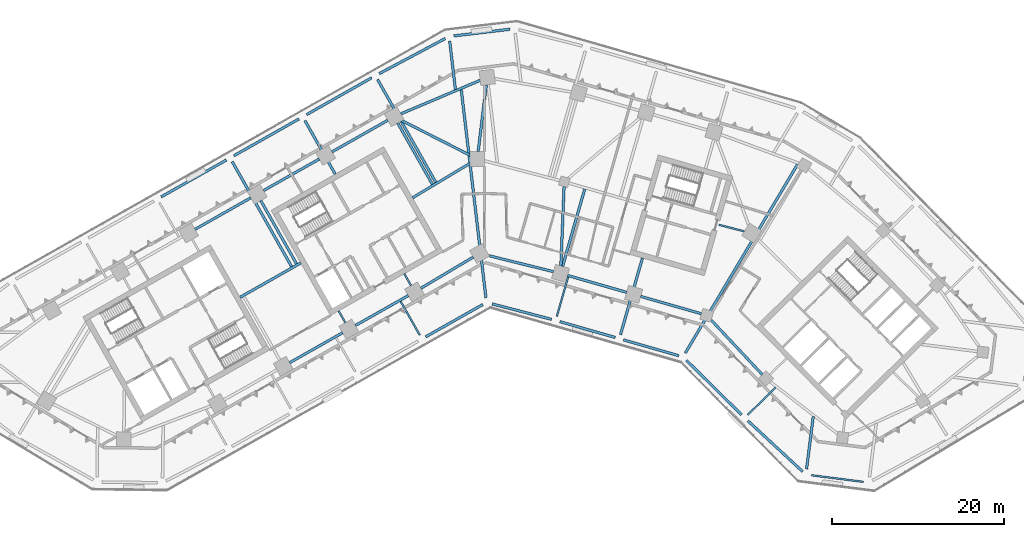
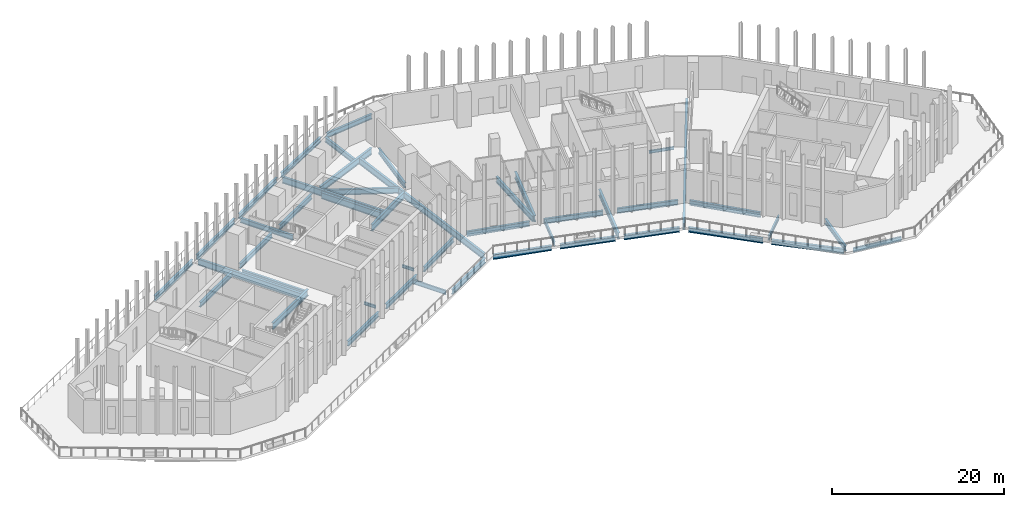
# One storey, part 2 of 17: 45 beams.
"""IFC4 building model written with IfcOpenShell, lengths in metres."""

from ifc_helpers import new_model, si_unit, direction, frame, origin, origin_2d, place, context, subcontext, project, spatial, i_section, extrude, material, material_profile, profile_set, type_object, element, save


model = new_model("IFC4")

# Units and contexts
model_context = context("Model", 3, precision=1e-05, world=origin(), true_north=direction((0.0, 1.0)))
body_context = subcontext(model_context, "Body", "Model", "MODEL_VIEW")
ifc_project = project(units=[si_unit("LENGTHUNIT", "METRE"), si_unit("AREAUNIT", "SQUARE_METRE"), si_unit("VOLUMEUNIT", "CUBIC_METRE"), si_unit("PLANEANGLEUNIT", "RADIAN"), si_unit("MASSUNIT", "GRAM", prefix="KILO")], contexts=[model_context])

# Site, building, storey
site_placement = place(None, origin())
site = spatial("IfcSite", under=ifc_project, at=site_placement, CompositionType="ELEMENT")
building_placement = place(site_placement, origin())
building = spatial("IfcBuilding", under=site, at=building_placement, Name="Binnacle Exchange Tower", CompositionType="ELEMENT")
storey_placement = place(building_placement, frame((0.0, 0.0, 26.5)))
storey = spatial("IfcBuildingStorey", under=building, at=storey_placement, Name="L05", CompositionType="ELEMENT", Elevation=26.5)

# Beams
ifc_material = material(Name="Steel S355 (SHN355)", Category="steel")
ifc_material_profile_1 = material_profile(ifc_material, i_section(OverallWidth=0.201904296875, OverallDepth=0.612060546875, WebThickness=0.012939453125, FlangeThickness=0.02294921875, FilletRadius=0.02197265625, at=origin_2d()), Name="H 612x202x13x23")
ifc_profile_set_1 = profile_set([ifc_material_profile_1], Name="Steel S355 (SHN355)")
beam_type_1 = type_object("IfcBeamType", Name="Edge girder H 612x202x13x23 Steel S355 (SHN355)", PredefinedType="SPANDREL", material=ifc_profile_set_1)
beam_1_placement = place(storey_placement, frame((43.931884765625, 22.540283203125, -0.6259765625), z_axis=(-0.992003760978, 0.126208312743, 0.0), x_axis=(-0.126208312743, -0.992003760978, 0.0)))
element("IfcBeam", 1, at=beam_1_placement, inside=storey, type_object=beam_type_1, Name="S:BM:edge:L05:066", PredefinedType="SPANDREL", context=body_context, shape_type="SweptSolid", body=[
    extrude(i_section(OverallWidth=0.201904296875, OverallDepth=0.612060546875, WebThickness=0.012939453125, FlangeThickness=0.02294921875, FilletRadius=0.02197265625, at=origin_2d()), origin(), (0.0, 0.0, 1.0), 6.081787109375),
])
ifc_material_profile_2 = material_profile(ifc_material, i_section(OverallWidth=0.300048828125, OverallDepth=0.699951171875, WebThickness=0.012939453125, FlangeThickness=0.02392578125, FilletRadius=0.028076171875, at=origin_2d()), Name="H 700x300x13x24")
ifc_profile_set_2 = profile_set([ifc_material_profile_2], Name="Steel S355 (SHN355)")
beam_type_2 = type_object("IfcBeamType", Name="Edge girder H 700x300x13x24 Steel S355 (SHN355)", PredefinedType="SPANDREL", material=ifc_profile_set_2)
for number, where, z_axis, x_axis, name in (
    (2, (-37.517333984375, 55.59912109375, -0.669921875), (0.870339162406, 0.492452781881, 0.0), (-0.492452781881, 0.870339162406, 0.0), "S:BM:edge:L05:026"),
    (3, (-29.089111328125, 60.367919921875, -0.669921875), (0.870358029477, 0.492419435567, 0.0), (-0.492419435567, 0.870358029477, 0.0), "S:BM:edge:L05:030"),
):
    element("IfcBeam", number, at=place(storey_placement, frame(where, z_axis=z_axis, x_axis=x_axis)), inside=storey, type_object=beam_type_2, Name=name, PredefinedType="SPANDREL", context=body_context, shape_type="SweptSolid", body=[
        extrude(i_section(OverallWidth=0.300048828125, OverallDepth=0.699951171875, WebThickness=0.012939453125, FlangeThickness=0.02392578125, FilletRadius=0.028076171875, at=origin_2d()), origin(), (0.0, 0.0, 1.0), 8.683837890625),
    ])
beam_2_placement = place(storey_placement, frame((-27.12744140625, 55.49169921875, -0.669921875), z_axis=(-0.870350394687, -0.492432929919, 0.0), x_axis=(0.492432929919, -0.870350394687, 0.0)))
element("IfcBeam", 4, at=beam_2_placement, inside=storey, type_object=beam_type_2, Name="S:BM:edge:L05:031", PredefinedType="SPANDREL", context=body_context, shape_type="SweptSolid", body=[
    extrude(i_section(OverallWidth=0.300048828125, OverallDepth=0.699951171875, WebThickness=0.012939453125, FlangeThickness=0.02392578125, FilletRadius=0.028076171875, at=origin_2d()), origin(), (0.0, 0.0, 1.0), 7.429931640625),
])
beam_3_placement = place(storey_placement, frame((-22.6162109375, 36.36474609375, -0.669921875), z_axis=(0.870350053651, 0.492433532681, 0.0), x_axis=(-0.492433532681, 0.870350053651, 0.0)))
element("IfcBeam", 5, at=beam_3_placement, inside=storey, type_object=beam_type_2, Name="S:BM:edge:L05:033", PredefinedType="SPANDREL", context=body_context, shape_type="SweptSolid", body=[
    extrude(i_section(OverallWidth=0.300048828125, OverallDepth=0.699951171875, WebThickness=0.012939453125, FlangeThickness=0.02392578125, FilletRadius=0.028076171875, at=origin_2d()), origin(), (0.0, 0.0, 1.0), 7.054443359375),
])
beam_4_placement = place(storey_placement, frame((-20.66064453125, 65.136474609375, -0.669921875), z_axis=(0.870358029477, 0.492419435567, 0.0), x_axis=(-0.492419435567, 0.870358029477, 0.0)))
element("IfcBeam", 6, at=beam_4_placement, inside=storey, type_object=beam_type_2, Name="S:BM:edge:L05:034", PredefinedType="SPANDREL", context=body_context, shape_type="SweptSolid", body=[
    extrude(i_section(OverallWidth=0.300048828125, OverallDepth=0.699951171875, WebThickness=0.012939453125, FlangeThickness=0.02392578125, FilletRadius=0.028076171875, at=origin_2d()), origin(), (0.0, 0.0, 1.0), 8.683837890625),
])
beam_5_placement = place(storey_placement, frame((-19.18115234375, 59.9873046875, -0.669921875), z_axis=(-0.870364477798, -0.492408037898, 0.0), x_axis=(0.492408037898, -0.870364477798, 0.0)))
element("IfcBeam", 7, at=beam_5_placement, inside=storey, type_object=beam_type_2, Name="S:BM:edge:L05:035", PredefinedType="SPANDREL", context=body_context, shape_type="SweptSolid", body=[
    extrude(i_section(OverallWidth=0.300048828125, OverallDepth=0.699951171875, WebThickness=0.012939453125, FlangeThickness=0.02392578125, FilletRadius=0.028076171875, at=origin_2d()), origin(), (0.0, 0.0, 1.0), 7.4296875),
])
beam_6_placement = place(storey_placement, frame((-14.99658203125, 40.67578125, -0.669921875), z_axis=(0.870364886025, 0.492407316329, 0.0), x_axis=(-0.492407316329, 0.870364886025, 0.0)))
element("IfcBeam", 8, at=beam_6_placement, inside=storey, type_object=beam_type_2, Name="S:BM:edge:L05:037", PredefinedType="SPANDREL", context=body_context, shape_type="SweptSolid", body=[
    extrude(i_section(OverallWidth=0.300048828125, OverallDepth=0.699951171875, WebThickness=0.012939453125, FlangeThickness=0.02392578125, FilletRadius=0.028076171875, at=origin_2d()), origin(), (0.0, 0.0, 1.0), 7.054443359375),
])
beam_7_placement = place(storey_placement, frame((-12.225830078125, 69.893798828125, -0.669921875), z_axis=(0.882784358994, 0.469778432365, 0.0), x_axis=(-0.469778432365, 0.882784358994, 0.0)))
element("IfcBeam", 9, at=beam_7_placement, inside=storey, type_object=beam_type_2, Name="S:BM:edge:L05:038", PredefinedType="SPANDREL", context=body_context, shape_type="SweptSolid", body=[
    extrude(i_section(OverallWidth=0.300048828125, OverallDepth=0.699951171875, WebThickness=0.012939453125, FlangeThickness=0.02392578125, FilletRadius=0.028076171875, at=origin_2d()), origin(), (0.0, 0.0, 1.0), 8.686767578125),
])
beam_8_placement = place(storey_placement, frame((-11.23486328125, 64.483154296875, -0.669921875), z_axis=(-0.870364477798, -0.492408037898, 0.0), x_axis=(0.492408037898, -0.870364477798, 0.0)))
element("IfcBeam", 10, at=beam_8_placement, inside=storey, type_object=beam_type_2, Name="S:BM:edge:L05:039", PredefinedType="SPANDREL", context=body_context, shape_type="SweptSolid", body=[
    extrude(i_section(OverallWidth=0.300048828125, OverallDepth=0.699951171875, WebThickness=0.012939453125, FlangeThickness=0.02392578125, FilletRadius=0.028076171875, at=origin_2d()), origin(), (0.0, 0.0, 1.0), 7.4296875),
])
beam_9_placement = place(storey_placement, frame((-7.38623046875, 45.002685546875, -0.669921875), z_axis=(0.859464815262, 0.511194905419, 0.0), x_axis=(-0.511194905419, 0.859464815262, 0.0)))
element("IfcBeam", 11, at=beam_9_placement, inside=storey, type_object=beam_type_2, Name="S:BM:edge:L05:041", PredefinedType="SPANDREL", context=body_context, shape_type="SweptSolid", body=[
    extrude(i_section(OverallWidth=0.300048828125, OverallDepth=0.699951171875, WebThickness=0.012939453125, FlangeThickness=0.02392578125, FilletRadius=0.028076171875, at=origin_2d()), origin(), (0.0, 0.0, 1.0), 7.056396484375),
])
beam_10_placement = place(storey_placement, frame((-3.577392578125, 74.2734375, -0.669921875), z_axis=(0.993065632937, 0.117561255009, 0.0), x_axis=(-0.117561255009, 0.993065632937, 0.0)))
element("IfcBeam", 12, at=beam_10_placement, inside=storey, type_object=beam_type_2, Name="S:BM:edge:L05:042", PredefinedType="SPANDREL", context=body_context, shape_type="SweptSolid", body=[
    extrude(i_section(OverallWidth=0.300048828125, OverallDepth=0.699951171875, WebThickness=0.012939453125, FlangeThickness=0.02392578125, FilletRadius=0.028076171875, at=origin_2d()), origin(), (0.0, 0.0, 1.0), 6.57080078125),
])
beam_11_placement = place(storey_placement, frame((-0.216552734375, 43.109375, -0.669921875), z_axis=(-0.870352907673, -0.492428488316, 0.0), x_axis=(0.492428488316, -0.870352907673, 0.0)))
element("IfcBeam", 13, at=beam_11_placement, inside=storey, type_object=beam_type_2, Name="S:BM:edge:L05:044", PredefinedType="SPANDREL", context=body_context, shape_type="SweptSolid", body=[
    extrude(i_section(OverallWidth=0.300048828125, OverallDepth=0.699951171875, WebThickness=0.012939453125, FlangeThickness=0.02392578125, FilletRadius=0.028076171875, at=origin_2d()), origin(), (0.0, 0.0, 1.0), 7.60546875),
])
beam_12_placement = place(storey_placement, frame((0.54443359375, 48.763916015625, -0.669921875), z_axis=(0.970818997342, -0.239813415805, 0.0), x_axis=(0.239813415805, 0.970818997342, 0.0)))
element("IfcBeam", 14, at=beam_12_placement, inside=storey, type_object=beam_type_2, Name="S:BM:edge:L05:045", PredefinedType="SPANDREL", context=body_context, shape_type="SweptSolid", body=[
    extrude(i_section(OverallWidth=0.300048828125, OverallDepth=0.699951171875, WebThickness=0.012939453125, FlangeThickness=0.02392578125, FilletRadius=0.028076171875, at=origin_2d()), origin(), (0.0, 0.0, 1.0), 7.662841796875),
])
beam_13_placement = place(storey_placement, frame((7.7587890625, 41.393310546875, -0.669921875), z_axis=(-0.967768014177, 0.251843345627, 0.0), x_axis=(-0.251843345627, -0.967768014177, 0.0)))
element("IfcBeam", 15, at=beam_13_placement, inside=storey, type_object=beam_type_2, Name="S:BM:edge:L05:047", PredefinedType="SPANDREL", context=body_context, shape_type="SweptSolid", body=[
    extrude(i_section(OverallWidth=0.300048828125, OverallDepth=0.699951171875, WebThickness=0.012939453125, FlangeThickness=0.02392578125, FilletRadius=0.028076171875, at=origin_2d()), origin(), (0.0, 0.0, 1.0), 7.09521484375),
])
beam_14_placement = place(storey_placement, frame((9.626708984375, 46.488037109375, -0.669921875), z_axis=(0.961260850036, -0.275640305812, 0.0), x_axis=(0.275640305812, 0.961260850036, 0.0)))
element("IfcBeam", 16, at=beam_14_placement, inside=storey, type_object=beam_type_2, Name="S:BM:edge:L05:048", PredefinedType="SPANDREL", context=body_context, shape_type="SweptSolid", body=[
    extrude(i_section(OverallWidth=0.300048828125, OverallDepth=0.699951171875, WebThickness=0.012939453125, FlangeThickness=0.02392578125, FilletRadius=0.028076171875, at=origin_2d()), origin(), (0.0, 0.0, 1.0), 7.120361328125),
])
beam_15_placement = place(storey_placement, frame((15.1474609375, 39.287353515625, -0.669921875), z_axis=(-0.961262967186, 0.275632922412, 0.0), x_axis=(-0.275632922412, -0.961262967186, 0.0)))
element("IfcBeam", 17, at=beam_15_placement, inside=storey, type_object=beam_type_2, Name="S:BM:edge:L05:051", PredefinedType="SPANDREL", context=body_context, shape_type="SweptSolid", body=[
    extrude(i_section(OverallWidth=0.300048828125, OverallDepth=0.699951171875, WebThickness=0.012939453125, FlangeThickness=0.02392578125, FilletRadius=0.028076171875, at=origin_2d()), origin(), (0.0, 0.0, 1.0), 6.682861328125),
])
beam_16_placement = place(storey_placement, frame((18.105224609375, 44.056884765625, -0.669921875), z_axis=(0.96126047873, -0.275641600691, 0.0), x_axis=(0.275641600691, 0.96126047873, 0.0)))
element("IfcBeam", 18, at=beam_16_placement, inside=storey, type_object=beam_type_2, Name="S:BM:edge:L05:053", PredefinedType="SPANDREL", context=body_context, shape_type="SweptSolid", body=[
    extrude(i_section(OverallWidth=0.300048828125, OverallDepth=0.699951171875, WebThickness=0.012939453125, FlangeThickness=0.02392578125, FilletRadius=0.028076171875, at=origin_2d()), origin(), (0.0, 0.0, 1.0), 7.320556640625),
])
beam_17_placement = place(storey_placement, frame((22.532470703125, 37.169677734375, -0.669921875), z_axis=(-0.961260191586, 0.275642602064, 0.0), x_axis=(-0.275642602064, -0.961260191586, 0.0)))
element("IfcBeam", 19, at=beam_17_placement, inside=storey, type_object=beam_type_2, Name="S:BM:edge:L05:055", PredefinedType="SPANDREL", context=body_context, shape_type="SweptSolid", body=[
    extrude(i_section(OverallWidth=0.300048828125, OverallDepth=0.699951171875, WebThickness=0.012939453125, FlangeThickness=0.02392578125, FilletRadius=0.028076171875, at=origin_2d()), origin(), (0.0, 0.0, 1.0), 6.6826171875),
])
beam_18_placement = place(storey_placement, frame((36.89990234375, 23.728515625, -0.669921875), z_axis=(-0.733314595009, 0.679889479803, 0.0), x_axis=(-0.679889479803, -0.733314595009, 0.0)))
element("IfcBeam", 20, at=beam_18_placement, inside=storey, type_object=beam_type_2, Name="S:BM:edge:L05:062", PredefinedType="SPANDREL", context=body_context, shape_type="SweptSolid", body=[
    extrude(i_section(OverallWidth=0.300048828125, OverallDepth=0.699951171875, WebThickness=0.012939453125, FlangeThickness=0.02392578125, FilletRadius=0.028076171875, at=origin_2d()), origin(), (0.0, 0.0, 1.0), 8.67333984375),
])
ifc_material_profile_3 = material_profile(ifc_material, i_section(OverallWidth=0.302001953125, OverallDepth=0.7080078125, WebThickness=0.014892578125, FlangeThickness=0.028076171875, FilletRadius=0.028076171875, at=origin_2d()), Name="H 708x302x15x28")
ifc_profile_set_3 = profile_set([ifc_material_profile_3], Name="Steel S355 (SHN355)")
beam_type_3 = type_object("IfcBeamType", Name="Edge girder H 708x302x15x28 Steel S355 (SHN355)", PredefinedType="SPANDREL", material=ifc_profile_set_3)
beam_19_placement = place(storey_placement, frame((26.284912109375, 41.3076171875, -0.674072265625), z_axis=(0.684056711164, -0.729428828544, 0.0), x_axis=(0.729428828544, 0.684056711164, 0.0)))
element("IfcBeam", 21, at=beam_19_placement, inside=storey, type_object=beam_type_3, Name="S:BM:edge:L05:057", PredefinedType="SPANDREL", context=body_context, shape_type="SweptSolid", body=[
    extrude(i_section(OverallWidth=0.302001953125, OverallDepth=0.7080078125, WebThickness=0.014892578125, FlangeThickness=0.028076171875, FilletRadius=0.028076171875, at=origin_2d()), origin(), (0.0, 0.0, 1.0), 8.6416015625),
])
beam_20_placement = place(storey_placement, frame((29.81640625, 30.31689453125, -0.674072265625), z_axis=(-0.711708607818, 0.702474809198, 0.0), x_axis=(-0.702474809198, -0.711708607818, 0.0)))
element("IfcBeam", 22, at=beam_20_placement, inside=storey, type_object=beam_type_3, Name="S:BM:edge:L05:059", PredefinedType="SPANDREL", context=body_context, shape_type="SweptSolid", body=[
    extrude(i_section(OverallWidth=0.302001953125, OverallDepth=0.7080078125, WebThickness=0.014892578125, FlangeThickness=0.028076171875, FilletRadius=0.028076171875, at=origin_2d()), origin(), (0.0, 0.0, 1.0), 8.989501953125),
])
ifc_material_profile_4 = material_profile(ifc_material, i_section(OverallWidth=0.302978515625, OverallDepth=0.91796875, WebThickness=0.01904296875, FlangeThickness=0.037109375, FilletRadius=0.028076171875, at=origin_2d()), Name="H 918x303x19x37")
ifc_profile_set_4 = profile_set([ifc_material_profile_4], Name="Steel S355 (SHN355)")
beam_type_4 = type_object("IfcBeamType", Name="Edge girder H 918x303x19x37 Steel S355 (SHN355)", PredefinedType="SPANDREL", material=ifc_profile_set_4)
beam_21_placement = place(storey_placement, frame((-0.51513671875, 69.11962890625, -0.779052734375), z_axis=(-0.921111373297, -0.389299162578, 0.0), x_axis=(0.389299162578, -0.921111373297, 0.0)))
element("IfcBeam", 23, at=beam_21_placement, inside=storey, type_object=beam_type_4, Name="S:BM:edge:L05:043", PredefinedType="SPANDREL", context=body_context, shape_type="SweptSolid", body=[
    extrude(i_section(OverallWidth=0.302978515625, OverallDepth=0.91796875, WebThickness=0.01904296875, FlangeThickness=0.037109375, FilletRadius=0.028076171875, at=origin_2d()), origin(), (0.0, 0.0, 1.0), 9.978759765625),
])
ifc_material_profile_5 = material_profile(ifc_material, i_section(OverallWidth=0.199951171875, OverallDepth=0.39990234375, WebThickness=0.008056640625, FlangeThickness=0.012939453125, FilletRadius=0.01611328125, at=origin_2d()), Name="H 400x200x8x13")
ifc_profile_set_5 = profile_set([ifc_material_profile_5], Name="Steel S355 (SHN355)")
beam_type_5 = type_object("IfcBeamType", Name="Floor beam H 400x200x8x13 Steel S355 (SHN355)", PredefinedType="BEAM", material=ifc_profile_set_5)
beam_22_placement = place(storey_placement, frame((-16.155029296875, 40.9970703125, -0.52001953125), z_axis=(-0.492366981934, 0.870387703901, 0.0), x_axis=(-0.870387703901, -0.492366981934, 0.0)))
element("IfcBeam", 24, at=beam_22_placement, inside=storey, type_object=beam_type_5, Name="S:BM:cross:L05:095", PredefinedType="BEAM", context=body_context, shape_type="SweptSolid", body=[
    extrude(i_section(OverallWidth=0.199951171875, OverallDepth=0.39990234375, WebThickness=0.008056640625, FlangeThickness=0.012939453125, FilletRadius=0.01611328125, at=origin_2d()), origin(), (0.0, 0.0, 1.0), 1.584228515625),
])
beam_23_placement = place(storey_placement, frame((-8.535400390625, 45.307861328125, -0.52001953125), z_axis=(-0.492483715062, 0.870321659158, 0.0), x_axis=(-0.870321659158, -0.492483715062, 0.0)))
element("IfcBeam", 25, at=beam_23_placement, inside=storey, type_object=beam_type_5, Name="S:BM:cross:L05:099", PredefinedType="BEAM", context=body_context, shape_type="SweptSolid", body=[
    extrude(i_section(OverallWidth=0.199951171875, OverallDepth=0.39990234375, WebThickness=0.008056640625, FlangeThickness=0.012939453125, FilletRadius=0.01611328125, at=origin_2d()), origin(), (0.0, 0.0, 1.0), 1.58447265625),
])
ifc_material_profile_6 = material_profile(ifc_material, i_section(OverallWidth=0.200927734375, OverallDepth=0.60595703125, WebThickness=0.011962890625, FlangeThickness=0.02001953125, FilletRadius=0.02197265625, at=origin_2d()), Name="H 606x201x12x20")
ifc_profile_set_6 = profile_set([ifc_material_profile_6], Name="Steel S355 (SHN355)")
beam_type_6 = type_object("IfcBeamType", Name="Floor beam H 606x201x12x20 Steel S355 (SHN355)", PredefinedType="BEAM", material=ifc_profile_set_6)
beam_24_placement = place(storey_placement, frame((-7.517333984375, 39.55322265625, -0.623046875), z_axis=(-0.4924442794, 0.8703439732, 0.0), x_axis=(-0.8703439732, -0.4924442794, 0.0)))
element("IfcBeam", 26, at=beam_24_placement, inside=storey, type_object=beam_type_6, Name="S:BM:cross:L05:100", PredefinedType="BEAM", context=body_context, shape_type="SweptSolid", body=[
    extrude(i_section(OverallWidth=0.200927734375, OverallDepth=0.60595703125, WebThickness=0.011962890625, FlangeThickness=0.02001953125, FilletRadius=0.02197265625, at=origin_2d()), origin(), (0.0, 0.0, 1.0), 4.510009765625),
])
beam_25_placement = place(storey_placement, frame((30.529052734375, 30.316162109375, -0.623046875), z_axis=(0.713237882923, 0.700922051561, 0.0), x_axis=(-0.700922051561, 0.713237882923, 0.0)))
element("IfcBeam", 27, at=beam_25_placement, inside=storey, type_object=beam_type_6, Name="S:BM:cross:L05:113", PredefinedType="BEAM", context=body_context, shape_type="SweptSolid", body=[
    extrude(i_section(OverallWidth=0.200927734375, OverallDepth=0.60595703125, WebThickness=0.011962890625, FlangeThickness=0.02001953125, FilletRadius=0.02197265625, at=origin_2d()), origin(), (0.0, 0.0, 1.0), 4.519775390625),
])
ifc_material_profile_7 = material_profile(ifc_material, i_section(OverallWidth=0.201904296875, OverallDepth=0.612060546875, WebThickness=0.012939453125, FlangeThickness=0.02294921875, FilletRadius=0.02197265625, at=origin_2d()), Name="H 612x202x13x23")
ifc_profile_set_7 = profile_set([ifc_material_profile_7], Name="Steel S355 (SHN355)")
beam_type_7 = type_object("IfcBeamType", Name="Floor beam H 612x202x13x23 Steel S355 (SHN355)", PredefinedType="BEAM", material=ifc_profile_set_7)
beam_26_placement = place(storey_placement, frame((8.380615234375, 41.747802734375, -0.6259765625), z_axis=(0.275651024235, 0.961257776477, 0.0), x_axis=(-0.961257776477, 0.275651024235, 0.0)))
element("IfcBeam", 28, at=beam_26_placement, inside=storey, type_object=beam_type_7, Name="S:BM:cross:L05:105", PredefinedType="BEAM", context=body_context, shape_type="SweptSolid", body=[
    extrude(i_section(OverallWidth=0.201904296875, OverallDepth=0.612060546875, WebThickness=0.012939453125, FlangeThickness=0.02294921875, FilletRadius=0.02197265625, at=origin_2d()), origin(), (0.0, 0.0, 1.0), 4.75),
])
ifc_material_profile_8 = material_profile(ifc_material, i_section(OverallWidth=0.300048828125, OverallDepth=0.699951171875, WebThickness=0.012939453125, FlangeThickness=0.02392578125, FilletRadius=0.028076171875, at=origin_2d()), Name="H 700x300x13x24")
ifc_profile_set_8 = profile_set([ifc_material_profile_8], Name="Steel S355 (SHN355)")
beam_type_8 = type_object("IfcBeamType", Name="Floor beam H 700x300x13x24 Steel S355 (SHN355)", PredefinedType="BEAM", material=ifc_profile_set_8)
beam_27_placement = place(storey_placement, frame((-4.05224609375, 73.67138671875, -0.669921875), z_axis=(0.117558403609, -0.993065970488, 0.0), x_axis=(0.993065970488, 0.117558403609, 0.0)))
element("IfcBeam", 29, at=beam_27_placement, inside=storey, type_object=beam_type_8, Name="S:BM:cross:L05:101", PredefinedType="BEAM", context=body_context, shape_type="SweptSolid", body=[
    extrude(i_section(OverallWidth=0.300048828125, OverallDepth=0.699951171875, WebThickness=0.012939453125, FlangeThickness=0.02392578125, FilletRadius=0.028076171875, at=origin_2d()), origin(), (0.0, 0.0, 1.0), 5.648681640625),
])
beam_28_placement = place(storey_placement, frame((37.347412109375, 24.019775390625, -0.669921875), z_axis=(0.126189771205, 0.992006119761, 0.0), x_axis=(-0.992006119761, 0.126189771205, 0.0)))
element("IfcBeam", 30, at=beam_28_placement, inside=storey, type_object=beam_type_8, Name="S:BM:cross:L05:117", PredefinedType="BEAM", context=body_context, shape_type="SweptSolid", body=[
    extrude(i_section(OverallWidth=0.300048828125, OverallDepth=0.699951171875, WebThickness=0.012939453125, FlangeThickness=0.02392578125, FilletRadius=0.028076171875, at=origin_2d()), origin(), (0.0, 0.0, 1.0), 6.162109375),
])
ifc_material_profile_9 = material_profile(ifc_material, i_section(OverallWidth=0.302001953125, OverallDepth=0.7080078125, WebThickness=0.014892578125, FlangeThickness=0.028076171875, FilletRadius=0.028076171875, at=origin_2d()), Name="H 708x302x15x28")
ifc_profile_set_9 = profile_set([ifc_material_profile_9], Name="Steel S355 (SHN355)")
beam_type_9 = type_object("IfcBeamType", Name="Floor beam H 708x302x15x28 Steel S355 (SHN355)", PredefinedType="BEAM", material=ifc_profile_set_9)
beam_29_placement = place(storey_placement, frame((-20.849609375, 64.455078125, -0.674072265625), z_axis=(0.492432183245, -0.870350817145, 0.0), x_axis=(0.870350817145, 0.492432183245, 0.0)))
element("IfcBeam", 31, at=beam_29_placement, inside=storey, type_object=beam_type_9, Name="S:BM:cross:L05:094", PredefinedType="BEAM", context=body_context, shape_type="SweptSolid", body=[
    extrude(i_section(OverallWidth=0.302001953125, OverallDepth=0.7080078125, WebThickness=0.014892578125, FlangeThickness=0.028076171875, FilletRadius=0.028076171875, at=origin_2d()), origin(), (0.0, 0.0, 1.0), 7.144287109375),
])
ifc_material_profile_10 = material_profile(ifc_material, i_section(OverallWidth=0.300048828125, OverallDepth=0.89990234375, WebThickness=0.01611328125, FlangeThickness=0.028076171875, FilletRadius=0.028076171875, at=origin_2d()), Name="H 900x300x16x28")
ifc_profile_set_10 = profile_set([ifc_material_profile_10], Name="Steel S355 (SHN355)")
beam_type_10 = type_object("IfcBeamType", Name="Floor beam H 900x300x16x28 Steel S355 (SHN355)", PredefinedType="BEAM", material=ifc_profile_set_10)
beam_30_placement = place(storey_placement, frame((-10.076416015625, 64.161865234375, -0.77001953125), z_axis=(0.492410737926, -0.870362950254, 0.0), x_axis=(0.870362950254, 0.492410737926, 0.0)))
element("IfcBeam", 32, at=beam_30_placement, inside=storey, type_object=beam_type_10, Name="S:BM:cross:L05:098", PredefinedType="BEAM", context=body_context, shape_type="SweptSolid", body=[
    extrude(i_section(OverallWidth=0.300048828125, OverallDepth=0.89990234375, WebThickness=0.01611328125, FlangeThickness=0.028076171875, FilletRadius=0.028076171875, at=origin_2d()), origin(), (0.0, 0.0, 1.0), 8.16943359375),
])
ifc_material_profile_11 = material_profile(ifc_material, i_section(OverallWidth=0.302001953125, OverallDepth=0.912109375, WebThickness=0.01806640625, FlangeThickness=0.033935546875, FilletRadius=0.028076171875, at=origin_2d()), Name="H 912x302x18x34")
ifc_profile_set_11 = profile_set([ifc_material_profile_11], Name="Steel S355 (SHN355)")
beam_type_11 = type_object("IfcBeamType", Name="Floor beam H 912x302x18x34 Steel S355 (SHN355)", PredefinedType="BEAM", material=ifc_profile_set_11)
beam_31_placement = place(storey_placement, frame((-25.968994140625, 55.17041015625, -0.77587890625), z_axis=(0.492409177884, -0.870363832851, 0.0), x_axis=(0.870363832851, 0.492409177884, 0.0)))
element("IfcBeam", 33, at=beam_31_placement, inside=storey, type_object=beam_type_11, Name="S:BM:cross:L05:091", PredefinedType="BEAM", context=body_context, shape_type="SweptSolid", body=[
    extrude(i_section(OverallWidth=0.302001953125, OverallDepth=0.912109375, WebThickness=0.01806640625, FlangeThickness=0.033935546875, FilletRadius=0.028076171875, at=origin_2d()), origin(), (0.0, 0.0, 1.0), 8.43408203125),
])
beam_32_placement = place(storey_placement, frame((15.765869140625, 39.630126953125, -0.77587890625), z_axis=(0.2756218268, 0.961266148677, 0.0), x_axis=(-0.961266148677, 0.2756218268, 0.0)))
element("IfcBeam", 34, at=beam_32_placement, inside=storey, type_object=beam_type_11, Name="S:BM:cross:L05:109", PredefinedType="BEAM", context=body_context, shape_type="SweptSolid", body=[
    extrude(i_section(OverallWidth=0.302001953125, OverallDepth=0.912109375, WebThickness=0.01806640625, FlangeThickness=0.033935546875, FilletRadius=0.028076171875, at=origin_2d()), origin(), (0.0, 0.0, 1.0), 9.235107421875),
])
ifc_material_profile_12 = material_profile(ifc_material, i_section(OverallWidth=0.302978515625, OverallDepth=0.91796875, WebThickness=0.01904296875, FlangeThickness=0.037109375, FilletRadius=0.028076171875, at=origin_2d()), Name="H 918x303x19x37")
ifc_profile_set_12 = profile_set([ifc_material_profile_12], Name="Steel S355 (SHN355)")
beam_type_12 = type_object("IfcBeamType", Name="Floor beam H 918x303x19x37 Steel S355 (SHN355)", PredefinedType="BEAM", material=ifc_profile_set_12)
beam_33_placement = place(storey_placement, frame((-29.278076171875, 59.686279296875, -0.779052734375), z_axis=(0.492433176399, -0.870350255232, 0.0), x_axis=(0.870350255232, 0.492433176399, 0.0)))
element("IfcBeam", 35, at=beam_33_placement, inside=storey, type_object=beam_type_12, Name="S:BM:cross:L05:090", PredefinedType="BEAM", context=body_context, shape_type="SweptSolid", body=[
    extrude(i_section(OverallWidth=0.302978515625, OverallDepth=0.91796875, WebThickness=0.01904296875, FlangeThickness=0.037109375, FilletRadius=0.028076171875, at=origin_2d()), origin(), (0.0, 0.0, 1.0), 13.993896484375),
])
beam_34_placement = place(storey_placement, frame((-12.421142578125, 69.223388671875, -0.779052734375), z_axis=(0.492429600636, -0.870352278344, 0.0), x_axis=(0.870352278344, 0.492429600636, 0.0)))
element("IfcBeam", 36, at=beam_34_placement, inside=storey, type_object=beam_type_12, Name="S:BM:cross:L05:097", PredefinedType="BEAM", context=body_context, shape_type="SweptSolid", body=[
    extrude(i_section(OverallWidth=0.302978515625, OverallDepth=0.91796875, WebThickness=0.01904296875, FlangeThickness=0.037109375, FilletRadius=0.028076171875, at=origin_2d()), origin(), (0.0, 0.0, 1.0), 13.718017578125),
])
beam_35_placement = place(storey_placement, frame((0.15478515625, 43.893798828125, -0.779052734375), z_axis=(-0.117868429999, 0.993029220723, 0.0), x_axis=(-0.993029220723, -0.117868429999, 0.0)))
element("IfcBeam", 37, at=beam_35_placement, inside=storey, type_object=beam_type_12, Name="S:BM:cross:L05:102", PredefinedType="BEAM", context=body_context, shape_type="SweptSolid", body=[
    extrude(i_section(OverallWidth=0.302978515625, OverallDepth=0.91796875, WebThickness=0.01904296875, FlangeThickness=0.037109375, FilletRadius=0.028076171875, at=origin_2d()), origin(), (0.0, 0.0, 1.0), 24.310791015625),
])
beam_36_placement = place(storey_placement, frame((9.043701171875, 47.539306640625, -0.779052734375), z_axis=(0.275646698205, 0.961259017003, 0.0), x_axis=(-0.961259017003, 0.275646698205, 0.0)))
element("IfcBeam", 38, at=beam_36_placement, inside=storey, type_object=beam_type_12, Name="S:BM:cross:L05:106", PredefinedType="BEAM", context=body_context, shape_type="SweptSolid", body=[
    extrude(i_section(OverallWidth=0.302978515625, OverallDepth=0.91796875, WebThickness=0.01904296875, FlangeThickness=0.037109375, FilletRadius=0.028076171875, at=origin_2d()), origin(), (0.0, 0.0, 1.0), 9.335205078125),
])
beam_37_placement = place(storey_placement, frame((23.277587890625, 37.476318359375, -0.779052734375), z_axis=(0.511288746337, 0.859408993361, 0.0), x_axis=(-0.859408993361, 0.511288746337, 0.0)))
element("IfcBeam", 39, at=beam_37_placement, inside=storey, type_object=beam_type_12, Name="S:BM:cross:L05:111", PredefinedType="BEAM", context=body_context, shape_type="SweptSolid", body=[
    extrude(i_section(OverallWidth=0.302978515625, OverallDepth=0.91796875, WebThickness=0.01904296875, FlangeThickness=0.037109375, FilletRadius=0.028076171875, at=origin_2d()), origin(), (0.0, 0.0, 1.0), 25.49755859375),
])
ifc_material_profile_13 = material_profile(ifc_material, i_section(OverallWidth=0.199951171875, OverallDepth=0.39990234375, WebThickness=0.008056640625, FlangeThickness=0.012939453125, FilletRadius=0.01611328125, at=origin_2d()), Name="H 400x200x8x13")
ifc_profile_set_13 = profile_set([ifc_material_profile_13], Name="Steel S355 (SHN355)")
beam_type_13 = type_object("IfcBeamType", Name="Spine girder H 400x200x8x13 Steel S355 (SHN355)", PredefinedType="BEAM", material=ifc_profile_set_13)
beam_38_placement = place(storey_placement, frame((27.17138671875, 52.35400390625, -0.52001953125), z_axis=(0.969359627701, -0.245645908136, 0.0), x_axis=(0.245645908136, 0.969359627701, 0.0)))
element("IfcBeam", 40, at=beam_38_placement, inside=storey, type_object=beam_type_13, Name="S:BM:spine:L05:010", PredefinedType="BEAM", context=body_context, shape_type="SweptSolid", body=[
    extrude(i_section(OverallWidth=0.199951171875, OverallDepth=0.39990234375, WebThickness=0.008056640625, FlangeThickness=0.012939453125, FilletRadius=0.01611328125, at=origin_2d()), origin(), (0.0, 0.0, 1.0), 3.046142578125),
])
ifc_material_profile_14 = material_profile(ifc_material, i_section(OverallWidth=0.302001953125, OverallDepth=0.7080078125, WebThickness=0.014892578125, FlangeThickness=0.028076171875, FilletRadius=0.028076171875, at=origin_2d()), Name="H 708x302x15x28")
ifc_profile_set_14 = profile_set([ifc_material_profile_14], Name="Steel S355 (SHN355)")
beam_type_14 = type_object("IfcBeamType", Name="Spine girder H 708x302x15x28 Steel S355 (SHN355)", PredefinedType="BEAM", material=ifc_profile_set_14)
beam_39_placement = place(storey_placement, frame((-0.74658203125, 60.85009765625, -0.674072265625), z_axis=(0.120621974738, 0.992698513755, 0.0), x_axis=(-0.992698513755, 0.120621974738, 0.0)))
element("IfcBeam", 41, at=beam_39_placement, inside=storey, type_object=beam_type_14, Name="S:BM:spine:L05:005", PredefinedType="BEAM", context=body_context, shape_type="SweptSolid", body=[
    extrude(i_section(OverallWidth=0.302001953125, OverallDepth=0.7080078125, WebThickness=0.014892578125, FlangeThickness=0.028076171875, FilletRadius=0.028076171875, at=origin_2d()), origin(), (0.0, 0.0, 1.0), 7.802490234375),
])
ifc_material_profile_15 = material_profile(ifc_material, i_section(OverallWidth=0.302001953125, OverallDepth=0.80810546875, WebThickness=0.01611328125, FlangeThickness=0.030029296875, FilletRadius=0.028076171875, at=origin_2d()), Name="H 808x302x16x30")
ifc_profile_set_15 = profile_set([ifc_material_profile_15], Name="Steel S355 (SHN355)")
beam_type_15 = type_object("IfcBeamType", Name="Spine girder H 808x302x16x30 Steel S355 (SHN355)", PredefinedType="BEAM", material=ifc_profile_set_15)
beam_40_placement = place(storey_placement, frame((-1.699951171875, 60.431884765625, -0.72412109375), z_axis=(-0.891471296315, 0.45307717648, 0.0), x_axis=(-0.45307717648, -0.891471296315, 0.0)))
element("IfcBeam", 42, at=beam_40_placement, inside=storey, type_object=beam_type_15, Name="S:BM:spine:L05:004", PredefinedType="BEAM", context=body_context, shape_type="SweptSolid", body=[
    extrude(i_section(OverallWidth=0.302001953125, OverallDepth=0.80810546875, WebThickness=0.01611328125, FlangeThickness=0.030029296875, FilletRadius=0.028076171875, at=origin_2d()), origin(), (0.0, 0.0, 1.0), 8.845703125),
])
beam_41_placement = place(storey_placement, frame((9.218017578125, 56.78466796875, -0.72412109375), z_axis=(-0.040567083206, -0.999176817065, 0.0), x_axis=(0.999176817065, -0.040567083206, 0.0)))
element("IfcBeam", 43, at=beam_41_placement, inside=storey, type_object=beam_type_15, Name="S:BM:spine:L05:007", PredefinedType="BEAM", context=body_context, shape_type="SweptSolid", body=[
    extrude(i_section(OverallWidth=0.302001953125, OverallDepth=0.80810546875, WebThickness=0.01611328125, FlangeThickness=0.030029296875, FilletRadius=0.028076171875, at=origin_2d()), origin(), (0.0, 0.0, 1.0), 9.19580078125),
])
ifc_material_profile_16 = material_profile(ifc_material, i_section(OverallWidth=0.302978515625, OverallDepth=0.91796875, WebThickness=0.01904296875, FlangeThickness=0.037109375, FilletRadius=0.028076171875, at=origin_2d()), Name="H 918x303x19x37")
ifc_profile_set_16 = profile_set([ifc_material_profile_16], Name="Steel S355 (SHN355)")
beam_type_16 = type_object("IfcBeamType", Name="Spine girder H 918x303x19x37 Steel S355 (SHN355)", PredefinedType="BEAM", material=ifc_profile_set_16)
beam_42_placement = place(storey_placement, frame((-28.365478515625, 43.951416015625, -0.779052734375), z_axis=(0.870350319004, 0.492433063684, 0.0), x_axis=(-0.492433063684, 0.870350319004, 0.0)))
element("IfcBeam", 44, at=beam_42_placement, inside=storey, type_object=beam_type_16, Name="S:BM:spine:L05:002", PredefinedType="BEAM", context=body_context, shape_type="SweptSolid", body=[
    extrude(i_section(OverallWidth=0.302978515625, OverallDepth=0.91796875, WebThickness=0.01904296875, FlangeThickness=0.037109375, FilletRadius=0.028076171875, at=origin_2d()), origin(), (0.0, 0.0, 1.0), 8.0908203125),
])
beam_43_placement = place(storey_placement, frame((-8.36328125, 55.489990234375, -0.779052734375), z_axis=(0.857393122678, 0.514662057261, 0.0), x_axis=(-0.514662057261, 0.857393122678, 0.0)))
element("IfcBeam", 45, at=beam_43_placement, inside=storey, type_object=beam_type_16, Name="S:BM:spine:L05:003", PredefinedType="BEAM", context=body_context, shape_type="SweptSolid", body=[
    extrude(i_section(OverallWidth=0.302978515625, OverallDepth=0.91796875, WebThickness=0.01904296875, FlangeThickness=0.037109375, FilletRadius=0.028076171875, at=origin_2d()), origin(), (0.0, 0.0, 1.0), 7.771728515625),
])

save(model, "model.ifc")
